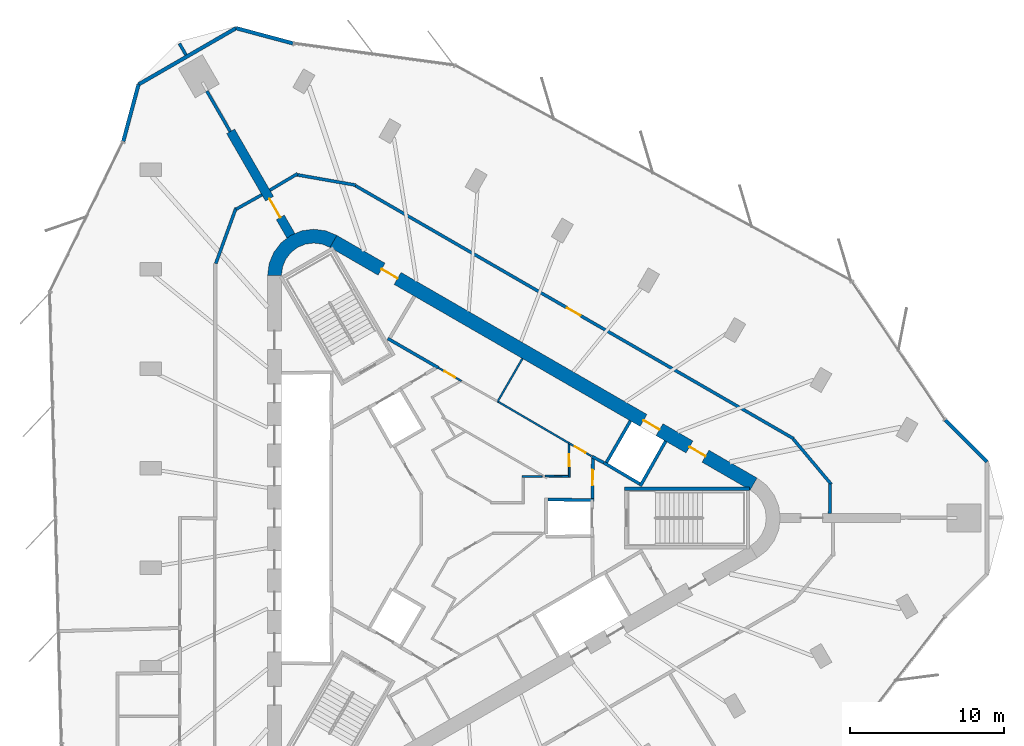
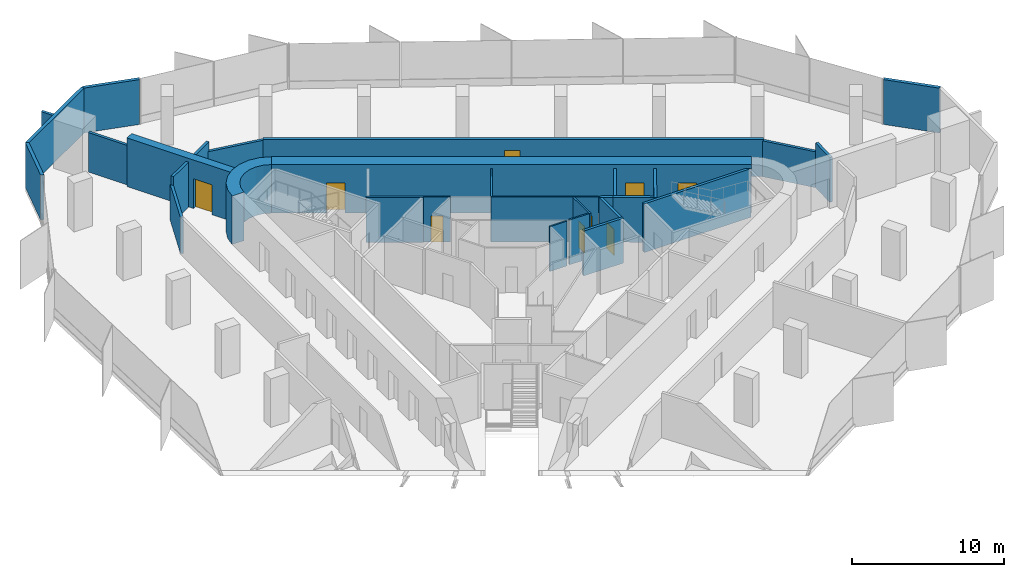
# One storey, part 10 of 12: 31 walls, 9 doors, 9 openings.
"""IFC4 building model written with IfcOpenShell, lengths in metres."""

import ifcopenshell
import ifcopenshell.guid

model = None  # the IFC model being written
_history = None  # IfcOwnerHistory: only IFC2X3 demands one
_inside = {}  # id of a spatial element -> (the spatial element, [elements in it])
_under = {}  # id of a project, library or spatial element -> (it, [spatial elements below it])
_declared = {}  # id of a project -> (the project, [libraries it declares])
_typed = {}  # id of a type object -> (the type object, [elements of that type])
_made_of = {}  # id of a material, layer set ... -> (it, [elements and type objects made of it])


def new_model(schema):
    """Start an empty IFC model of exactly this schema.

    Asked for "IFC4X3", IfcOpenShell would pick the latest addendum, in which some entities
    have other attributes; the version numbers below select the first issue.
    IFC2X3 requires an IfcOwnerHistory on every rooted entity: one is made here for all.
    """
    global model, _history
    if schema == "IFC4X3":
        model = ifcopenshell.file(schema_version=(4, 3, 0, 0))
    else:
        model = ifcopenshell.file(schema=schema)
    _inside.clear()
    _under.clear()
    _declared.clear()
    _typed.clear()
    _made_of.clear()
    _history = None
    if model.schema == "IFC2X3":
        org = make("IfcOrganization", Name="unknown")
        user = make(
            "IfcPersonAndOrganization",
            ThePerson=make("IfcPerson", FamilyName="unknown"),
            TheOrganization=org,
        )
        app = make(
            "IfcApplication",
            ApplicationDeveloper=org,
            Version="unknown",
            ApplicationFullName="unknown",
            ApplicationIdentifier="unknown",
        )
        _history = make(
            "IfcOwnerHistory",
            OwningUser=user,
            OwningApplication=app,
            ChangeAction="ADDED",
            CreationDate=0,
        )
    return model


def make(cls, **values):
    """One entity of the class cls with the attributes given. An attribute that is None is left unset."""
    return model.create_entity(
        cls, **{name: value for name, value in values.items() if value is not None}
    )


def rooted(cls, **values):
    """An entity with a GlobalId (a new one), such as an element, a storey or a relation."""
    return make(cls, GlobalId=ifcopenshell.guid.new(), OwnerHistory=_history, **values)


def si_unit(unit_type, name, prefix=None):
    """IfcSIUnit, for example si_unit("LENGTHUNIT", "METRE", prefix="MILLI")."""
    return make("IfcSIUnit", UnitType=unit_type, Prefix=prefix, Name=name)


def assignment(units):
    """IfcUnitAssignment: the units of a project."""
    return None if units is None else make("IfcUnitAssignment", Units=units)


def point(xyz):
    """IfcCartesianPoint."""
    return None if xyz is None else make("IfcCartesianPoint", Coordinates=xyz)


def direction(xyz):
    """IfcDirection."""
    return None if xyz is None else make("IfcDirection", DirectionRatios=xyz)


def frame(location, z_axis=None, x_axis=None):
    """IfcAxis2Placement3D, a coordinate frame: its origin and axes. An axis left out is left unset."""
    return make(
        "IfcAxis2Placement3D",
        Location=point(location),
        Axis=direction(z_axis),
        RefDirection=direction(x_axis),
    )


def frame_2d(location, x_axis=None):
    """IfcAxis2Placement2D, a coordinate frame in the plane: its origin and x axis."""
    return make(
        "IfcAxis2Placement2D", Location=point(location), RefDirection=direction(x_axis)
    )


def origin():
    """The frame at (0, 0, 0) with its axes left unset."""
    return frame((0.0, 0.0, 0.0))


def place(relative_to, where):
    """IfcLocalPlacement: puts the frame where relative to a parent placement (None: the world)."""
    return make(
        "IfcLocalPlacement", PlacementRelTo=relative_to, RelativePlacement=where
    )


def context(
    kind, dimensions, precision=None, world=None, true_north=None, identifier=None
):
    """IfcGeometricRepresentationContext, for example the 3D "Model" context."""
    return make(
        "IfcGeometricRepresentationContext",
        ContextIdentifier=identifier,
        ContextType=kind,
        CoordinateSpaceDimension=dimensions,
        Precision=precision,
        WorldCoordinateSystem=world,
        TrueNorth=true_north,
    )


def subcontext(parent, identifier, kind, view, scale=None):
    """IfcGeometricRepresentationSubContext, for example "Body" below "Model"."""
    return make(
        "IfcGeometricRepresentationSubContext",
        ContextIdentifier=identifier,
        ContextType=kind,
        ParentContext=parent,
        TargetScale=scale,
        TargetView=view,
    )


def project(units=None, contexts=None):
    """IfcProject with its units and contexts."""
    return rooted(
        "IfcProject",
        Name="project",
        RepresentationContexts=contexts,
        UnitsInContext=assignment(units),
    )


def spatial(cls, under=None, at=None, **own):
    """A site, building, storey or space (cls), placed at a placement, below another one or the project."""
    s = rooted(cls, ObjectPlacement=at, **own)
    if under is not None:
        _under.setdefault(under.id(), (under, []))[1].append(s)
    return s


def polyline(points):
    """IfcPolyline through the points."""
    return make("IfcPolyline", Points=[point(p) for p in points])


def profile(cls, at=None, kind="AREA", **sizes):
    """A parametric profile (cls). Its sizes go by their IFC names, for example OverallWidth=200.0."""
    return make(cls, ProfileType=kind, Position=at, **sizes)


def rectangle(**sizes):
    """IfcRectangleProfileDef."""
    return profile("IfcRectangleProfileDef", **sizes)


def outline(outer, holes=None, kind="AREA"):
    """IfcArbitraryClosedProfileDef: a profile drawn as a closed curve; with holes, ...WithVoids."""
    if holes is None:
        return make("IfcArbitraryClosedProfileDef", ProfileType=kind, OuterCurve=outer)
    return make(
        "IfcArbitraryProfileDefWithVoids",
        ProfileType=kind,
        OuterCurve=outer,
        InnerCurves=holes,
    )


def extrude(swept, where, along, depth):
    """IfcExtrudedAreaSolid: the profile swept, set in the frame where, extruded along a direction by depth."""
    return make(
        "IfcExtrudedAreaSolid",
        SweptArea=swept,
        Position=where,
        ExtrudedDirection=direction(along),
        Depth=depth,
    )


def shape(context_of_items, identifier, shape_type, items):
    """IfcShapeRepresentation: the items that make up one representation, for example the "Body"."""
    return make(
        "IfcShapeRepresentation",
        ContextOfItems=context_of_items,
        RepresentationIdentifier=identifier,
        RepresentationType=shape_type,
        Items=items,
    )


def material(Name=None, Category=None):
    """IfcMaterial."""
    return make("IfcMaterial", Name=Name, Category=Category)


def layer(
    of_material, thickness, ventilated=None, Name=None, Category=None, Priority=None
):
    """IfcMaterialLayer: one layer of a wall or slab, of a material (None: an air gap)."""
    return make(
        "IfcMaterialLayer",
        Material=of_material,
        LayerThickness=thickness,
        IsVentilated=ventilated,
        Name=Name,
        Category=Category,
        Priority=Priority,
    )


def layer_set(layers, Name=None):
    """IfcMaterialLayerSet."""
    return make("IfcMaterialLayerSet", MaterialLayers=layers, LayerSetName=Name)


def made_of(thing, what):
    """Note that an element or type object is made of a material, layer set ...; save() writes the relation."""
    if what is not None:
        _made_of.setdefault(what.id(), (what, []))[1].append(thing)
    return thing


def type_object(cls, material=None, **own):
    """A type object (cls), such as IfcWallType, which elements share."""
    return made_of(rooted(cls, **own), material)


def element(
    cls,
    number,
    at=None,
    inside=None,
    cuts=None,
    type_object=None,
    material=None,
    context=None,
    identifier="Body",
    shape_type=None,
    held_by="IfcProductDefinitionShape",
    body=None,
    shapes=None,
    **own,
):
    """One element of the class cls, such as IfcWall. Its Tag is "e" and its number.

    at: its placement. inside: the storey or other place that contains it. cuts: it is an
    opening in that element (IfcRelVoidsElement). A single representation is given by context,
    identifier, shape_type and body (its items); several are given by shapes. held_by: the class
    of the entity that holds the representations. save() writes the other relations.
    """
    e = rooted(cls, Tag="e%d" % number, ObjectPlacement=at, **own)
    if body is not None:
        shapes = [shape(context, identifier, shape_type, body)]
    if shapes is not None:
        e.Representation = make(held_by, Representations=shapes)
    if inside is not None:
        _inside.setdefault(inside.id(), (inside, []))[1].append(e)
    if cuts is not None:
        rooted(
            "IfcRelVoidsElement", RelatingBuildingElement=cuts, RelatedOpeningElement=e
        )
    if type_object is not None:
        _typed.setdefault(type_object.id(), (type_object, []))[1].append(e)
    return made_of(e, material)


def fill(opening, filler):
    """IfcRelFillsElement: the door or window that sits in an opening."""
    return rooted(
        "IfcRelFillsElement",
        RelatingOpeningElement=opening,
        RelatedBuildingElement=filler,
    )


def aggregate(whole, parts):
    """IfcRelAggregates: a whole, such as a stair, and the parts it consists of."""
    return rooted("IfcRelAggregates", RelatingObject=whole, RelatedObjects=parts)


def save(model, path):
    """Write the relations noted so far, then the file.

    IfcRelAggregates (storeys below a building ...), IfcRelContainedInSpatialStructure (elements
    in a storey), IfcRelDefinesByType, IfcRelAssociatesMaterial and IfcRelDeclares: one each for
    every whole, place, type object, material and project.
    """
    for whole, parts in _under.values():
        aggregate(whole, parts)
    for where, things in _inside.values():
        rooted(
            "IfcRelContainedInSpatialStructure",
            RelatedElements=things,
            RelatingStructure=where,
        )
    for kind, things in _typed.values():
        rooted("IfcRelDefinesByType", RelatedObjects=things, RelatingType=kind)
    for what, things in _made_of.values():
        rooted("IfcRelAssociatesMaterial", RelatedObjects=things, RelatingMaterial=what)
    for by, libraries in _declared.values():
        rooted("IfcRelDeclares", RelatingContext=by, RelatedDefinitions=libraries)
    model.write(path)


model = new_model("IFC4")

# Units and contexts
model_context = context("Model", 3, precision=1e-05, world=origin(), true_north=direction((0.0, 1.0)))
body_context = subcontext(model_context, "Body", "Model", "MODEL_VIEW")
ifc_project = project(units=[si_unit("LENGTHUNIT", "METRE"), si_unit("AREAUNIT", "SQUARE_METRE"), si_unit("VOLUMEUNIT", "CUBIC_METRE"), si_unit("PLANEANGLEUNIT", "RADIAN"), si_unit("MASSUNIT", "GRAM", prefix="KILO")], contexts=[model_context])

# Site, building, storey
site_placement = place(None, origin())
site = spatial("IfcSite", under=ifc_project, at=site_placement, CompositionType="ELEMENT")
building_placement = place(site_placement, origin())
building = spatial("IfcBuilding", under=site, at=building_placement, Name="Tanit Gate Tower", CompositionType="ELEMENT")
storey_placement = place(building_placement, frame((0.0, 0.0, 345.5)))
storey = spatial("IfcBuildingStorey", under=building, at=storey_placement, Name="L78", CompositionType="ELEMENT", Elevation=345.5)

# Wall, opening, door
ifc_material_1 = material(Name="Concrete C40/50", Category="concrete")
ifc_layer_1 = layer(ifc_material_1, 0.60009765625)
ifc_layer_set_1 = layer_set([ifc_layer_1], Name="BUTTRESS FIN 600 C40/50")
wall_type_1 = type_object("IfcWallType", Name="BUTTRESS FIN 600 C40/50", PredefinedType="SHEAR", material=ifc_layer_set_1)
wall_1_placement = place(storey_placement, frame((-10.574951171875, 18.31640625, 0.0), z_axis=(0.0, 0.0, 1.0), x_axis=(-0.500010354293, 0.866019425648, 0.0)))
wall_1 = element("IfcWall", 1, at=wall_1_placement, inside=storey, type_object=wall_type_1, Name="BUTTRESS FIN", PredefinedType="SHEAR", context=body_context, shape_type="SweptSolid", body=[
    extrude(rectangle(XDim=7.854248046875, YDim=0.60009765625, at=frame_2d((3.92724609375, 0.0))), origin(), (0.0, 0.0, 1.0), 3.89990234375),
])
opening_1_placement = place(wall_1_placement, frame((1.39990234375, 0.0, 0.0)))
opening_1 = element("IfcOpeningElement", 2, at=opening_1_placement, cuts=wall_1, Name="Opening P14-S22-F-NW-1", PredefinedType="OPENING", context=body_context, shape_type="SweptSolid", body=[
    extrude(rectangle(XDim=1.39990234375, YDim=2.39990234375, at=frame_2d((0.699951171875, 1.199951171875))), frame((0.0, 0.31005859375, 0.0), z_axis=(0.0, -1.0, 0.0), x_axis=(1.0, 0.0, 0.0)), (0.0, 0.0, 1.0), 0.6201171875),
])
ifc_material_2 = material(Name="Timber door leaf", Category="wood")
door_type_1 = type_object("IfcDoorType", Name="INT-DOOR-FIN-PAIR-1400", OperationType="NOTDEFINED", PredefinedType="NOTDEFINED", material=ifc_material_2)
door_1_placement = place(opening_1_placement, origin())
door_1 = element("IfcDoor", 3, at=door_1_placement, inside=storey, type_object=door_type_1, Name="Door P14-S22-F-NW-1", OperationType="DOUBLE_DOOR_SINGLE_SWING", OverallHeight=2.39990234375, OverallWidth=1.39990234375, PredefinedType="NOTDEFINED", context=body_context, shape_type="SweptSolid", body=[
    extrude(rectangle(XDim=1.39990234375, YDim=2.39990234375, at=frame_2d((0.699951171875, 1.199951171875))), frame((0.0, 0.02490234375, 0.0), z_axis=(0.0, -1.0, 0.0), x_axis=(1.0, 0.0, 0.0)), (0.0, 0.0, 1.0), 0.050048828125),
])
fill(opening_1, door_1)

# Wall, openings, doors
ifc_material_3 = material(Name="Concrete C40/50", Category="concrete")
ifc_layer_2 = layer(ifc_material_3, 0.89990234375)
ifc_layer_set_2 = layer_set([ifc_layer_2], Name="CORE WALL 900 C40/50")
wall_type_2 = type_object("IfcWallType", Name="CORE WALL 900 C40/50", PredefinedType="SHEAR", material=ifc_layer_set_2)
wall_2_placement = place(storey_placement, frame((19.47509765625, 2.20849609375, 0.0), z_axis=(0.0, 0.0, 1.0), x_axis=(-0.866028369851, 0.499994862586, 0.0)))
wall_2 = element("IfcWall", 4, at=wall_2_placement, inside=storey, type_object=wall_type_2, Name="CORE WALL", PredefinedType="SHEAR", context=body_context, shape_type="SweptSolid", body=[
    extrude(rectangle(XDim=31.523193359375, YDim=0.89990234375, at=frame_2d((15.76171875, 0.0))), origin(), (0.0, 0.0, 1.0), 3.89990234375),
])
opening_2_placement = place(wall_2_placement, frame((7.0615234375, 0.0, 0.0)))
opening_2 = element("IfcOpeningElement", 5, at=opening_2_placement, cuts=wall_2, Name="Opening LDHL8-S22", PredefinedType="OPENING", context=body_context, shape_type="SweptSolid", body=[
    extrude(rectangle(XDim=1.199951171875, YDim=2.39990234375, at=frame_2d((0.60009765625, 1.199951171875))), frame((0.0, 0.4599609375, 0.0), z_axis=(0.0, -1.0, 0.0), x_axis=(1.0, 0.0, 0.0)), (0.0, 0.0, 1.0), 0.919921875),
])
opening_3_placement = place(wall_2_placement, frame((3.611572265625, 0.0, 0.0)))
opening_3 = element("IfcOpeningElement", 6, at=opening_3_placement, cuts=wall_2, Name="Opening F12-S22-FL1", PredefinedType="OPENING", context=body_context, shape_type="SweptSolid", body=[
    extrude(rectangle(XDim=1.199951171875, YDim=2.39990234375, at=frame_2d((0.60009765625, 1.199951171875))), frame((0.0, 0.4599609375, 0.0), z_axis=(0.0, -1.0, 0.0), x_axis=(1.0, 0.0, 0.0)), (0.0, 0.0, 1.0), 0.919921875),
])
opening_4_placement = place(wall_2_placement, frame((26.711669921875, 0.0, 0.0)))
opening_4 = element("IfcOpeningElement", 7, at=opening_4_placement, cuts=wall_2, Name="Opening F12-S22-S2", PredefinedType="OPENING", context=body_context, shape_type="SweptSolid", body=[
    extrude(rectangle(XDim=1.199951171875, YDim=2.39990234375, at=frame_2d((0.60009765625, 1.199951171875))), frame((0.0, 0.4599609375, 0.0), z_axis=(0.0, -1.0, 0.0), x_axis=(1.0, 0.0, 0.0)), (0.0, 0.0, 1.0), 0.919921875),
])
ifc_material_4 = material(Name="Fire-rated steel door leaf", Category="steel")
door_type_2 = type_object("IfcDoorType", Name="INT-DOOR-FIRE-LOBBY-1200", OperationType="NOTDEFINED", PredefinedType="USERDEFINED", material=ifc_material_4)
door_2_placement = place(opening_3_placement, origin())
door_2 = element("IfcDoor", 8, at=door_2_placement, inside=storey, type_object=door_type_2, Name="Door F12-S22-FL1", ObjectType="FIRE DOOR", OperationType="SINGLE_SWING_LEFT", OverallHeight=2.39990234375, OverallWidth=1.199951171875, PredefinedType="USERDEFINED", context=body_context, shape_type="SweptSolid", body=[
    extrude(rectangle(XDim=1.199951171875, YDim=2.39990234375, at=frame_2d((0.60009765625, 1.199951171875))), frame((0.0, 0.02490234375, 0.0), z_axis=(0.0, -1.0, 0.0), x_axis=(1.0, 0.0, 0.0)), (0.0, 0.0, 1.0), 0.050048828125),
])
fill(opening_3, door_2)
door_3_placement = place(opening_4_placement, origin())
door_3 = element("IfcDoor", 9, at=door_3_placement, inside=storey, type_object=door_type_2, Name="Door F12-S22-S2", ObjectType="FIRE DOOR", OperationType="SINGLE_SWING_RIGHT", OverallHeight=2.39990234375, OverallWidth=1.199951171875, PredefinedType="USERDEFINED", context=body_context, shape_type="SweptSolid", body=[
    extrude(rectangle(XDim=1.199951171875, YDim=2.39990234375, at=frame_2d((0.60009765625, 1.199951171875))), frame((0.0, 0.02490234375, 0.0), z_axis=(0.0, -1.0, 0.0), x_axis=(1.0, 0.0, 0.0)), (0.0, 0.0, 1.0), 0.050048828125),
])
fill(opening_4, door_3)
ifc_material_5 = material(Name="Stainless steel sliding door leaf", Category="steel")
door_type_3 = type_object("IfcDoorType", Name="INT-DOOR-LANDING-1200", OperationType="NOTDEFINED", PredefinedType="USERDEFINED", material=ifc_material_5)
door_4_placement = place(opening_2_placement, origin())
door_4 = element("IfcDoor", 10, at=door_4_placement, inside=storey, type_object=door_type_3, Name="Door LDHL8-S22", ObjectType="LANDING DOOR", OperationType="SLIDING_TO_LEFT", OverallHeight=2.39990234375, OverallWidth=1.199951171875, PredefinedType="USERDEFINED", context=body_context, shape_type="SweptSolid", body=[
    extrude(rectangle(XDim=1.199951171875, YDim=2.39990234375, at=frame_2d((0.60009765625, 1.199951171875))), frame((0.0, 0.02490234375, 0.0), z_axis=(0.0, -1.0, 0.0), x_axis=(1.0, 0.0, 0.0)), (0.0, 0.0, 1.0), 0.050048828125),
])
fill(opening_2, door_4)

# Walls
wall_3_placement = place(storey_placement, origin())
element("IfcWall", 11, at=wall_3_placement, inside=storey, type_object=wall_type_2, Name="CORE WALL CORNER", PredefinedType="SHEAR", context=body_context, shape_type="SweptSolid", body=[
    extrude(outline(polyline([(-7.60009765625, 18.359619140625), (-8.323486328125, 18.659423828125), (-9.10009765625, 18.76171875), (-9.87646484375, 18.659423828125), (-10.60009765625, 18.359619140625), (-11.22119140625, 17.883056640625), (-11.697998046875, 17.26171875), (-11.997802734375, 16.5380859375), (-12.10009765625, 15.76171875), (-11.199951171875, 15.76171875), (-11.12841796875, 16.30517578125), (-10.918701171875, 16.811767578125), (-10.5849609375, 17.24658203125), (-10.14990234375, 17.580322265625), (-9.6435546875, 17.7900390625), (-9.10009765625, 17.86181640625), (-8.556396484375, 17.7900390625), (-8.050048828125, 17.580322265625), (-7.60009765625, 18.359619140625)])), origin(), (0.0, 0.0, 1.0), 3.89990234375),
])
ifc_material_6 = material(Name="Concrete C30/37 with bronze anodised aluminium cladding", Category="concrete")
ifc_layer_3 = layer(ifc_material_6, 0.239990234375)
ifc_layer_set_3 = layer_set([ifc_layer_3], Name="Facade wall bronze clad 240")
wall_type_3 = type_object("IfcWallType", Name="Facade wall bronze clad 240", PredefinedType="SOLIDWALL", material=ifc_layer_set_3)
wall_4_placement = place(storey_placement, frame((-10.44921875, 30.833251953125, 0.0), z_axis=(0.0, 0.0, 1.0), x_axis=(-0.965924142325, 0.25882532966, 0.0)))
element("IfcWall", 12, at=wall_4_placement, inside=storey, type_object=wall_type_3, Name="Bronze-clad facade wall L78 NW.arc1", PredefinedType="SOLIDWALL", context=body_context, shape_type="SweptSolid", body=[
    extrude(rectangle(XDim=3.82861328125, YDim=0.239990234375, at=frame_2d((1.914306640625, 0.0))), origin(), (0.0, 0.0, 1.0), 3.60009765625),
])
wall_5_placement = place(storey_placement, frame((-14.1474609375, 31.82421875, 0.0), z_axis=(0.0, 0.0, 1.0), x_axis=(-0.86603229387, -0.499988065832, 0.0)))
element("IfcWall", 13, at=wall_5_placement, inside=storey, type_object=wall_type_3, Name="Bronze-clad facade wall L78 NW.arc2", PredefinedType="SOLIDWALL", context=body_context, shape_type="SweptSolid", body=[
    extrude(rectangle(XDim=7.320068359375, YDim=0.239990234375, at=frame_2d((3.66015625, 0.0))), origin(), (0.0, 0.0, 1.0), 3.60009765625),
])
for number, where, z_axis, x_axis, name in (
    (14, (-20.48681640625, 28.164306640625, 0.0), (0.0, 0.0, 1.0), (-0.258808255004, -0.965928717423, 0.0), "Bronze-clad facade wall L78 NW.arc3"),
    (15, (34.63427734375, 3.659912109375, 0.0), (0.0, 0.0, 1.0), (-0.707106781187, 0.707106781187, 0.0), "Bronze-clad facade wall L78 E.arc3"),
):
    element("IfcWall", number, at=place(storey_placement, frame(where, z_axis=z_axis, x_axis=x_axis)), inside=storey, type_object=wall_type_3, Name=name, PredefinedType="SOLIDWALL", context=body_context, shape_type="SweptSolid", body=[
        extrude(rectangle(XDim=3.832763671875, YDim=0.239990234375, at=frame_2d((1.91650390625, 0.0))), origin(), (0.0, 0.0, 1.0), 3.60009765625),
    ])
ifc_material_7 = material(Name="Fire-rated gypsum board partition")
ifc_layer_4 = layer(ifc_material_7, 0.199951171875)
ifc_layer_set_4 = layer_set([ifc_layer_4], Name="INT-WALL-COMPARTMENT")
wall_type_4 = type_object("IfcWallType", Name="INT-WALL-COMPARTMENT", PredefinedType="PARTITIONING", material=ifc_layer_set_4)
wall_6_placement = place(storey_placement, frame((8.97412109375, 3.998779296875, 0.0), z_axis=(0.0, 0.0, 1.0), x_axis=(0.880917147855, -0.473270513147, 0.0)))
element("IfcWall", 16, at=wall_6_placement, inside=storey, type_object=wall_type_4, Name="Wall Compartment W045", PredefinedType="PARTITIONING", context=body_context, shape_type="SweptSolid", body=[
    extrude(rectangle(XDim=0.8779296875, YDim=0.199951171875, at=frame_2d((0.43896484375, 0.0))), origin(), (0.0, 0.0, 1.0), 3.60009765625),
])
wall_7_placement = place(storey_placement, frame((-4.295654296875, 11.659912109375, 0.0), z_axis=(0.0, 0.0, 1.0), x_axis=(0.866027389382, -0.499996560828, 0.0)))
element("IfcWall", 17, at=wall_7_placement, inside=storey, type_object=wall_type_4, Name="Wall Compartment W048", PredefinedType="PARTITIONING", context=body_context, shape_type="SweptSolid", body=[
    extrude(rectangle(XDim=3.77783203125, YDim=0.199951171875, at=frame_2d((1.888916015625, 0.0))), origin(), (0.0, 0.0, 1.0), 3.60009765625),
])

# Wall, opening, door
wall_8_placement = place(storey_placement, frame((9.0009765625, 1.27001953125, 0.0), z_axis=(0.0, 0.0, 1.0), x_axis=(0.010723968736, 0.999942496594, 0.0)))
wall_8 = element("IfcWall", 18, at=wall_8_placement, inside=storey, type_object=wall_type_4, Name="Wall Compartment W063", PredefinedType="PARTITIONING", context=body_context, shape_type="SweptSolid", body=[
    extrude(rectangle(XDim=2.709228515625, YDim=0.199951171875, at=frame_2d((1.3544921875, 0.0))), origin(), (0.0, 0.0, 1.0), 3.60009765625),
])
opening_5_placement = place(wall_8_placement, frame((0.848388671875, 0.0, 0.0)))
opening_5 = element("IfcOpeningElement", 19, at=opening_5_placement, cuts=wall_8, Name="Opening F10-S22-02", PredefinedType="OPENING", context=body_context, shape_type="SweptSolid", body=[
    extrude(rectangle(XDim=1.0, YDim=2.10009765625, at=frame_2d((0.5, 1.050048828125))), frame((0.0, 0.10986328125, 0.0), z_axis=(0.0, -1.0, 0.0), x_axis=(1.0, 0.0, 0.0)), (0.0, 0.0, 1.0), 0.219970703125),
])
ifc_material_8 = material(Name="Fire-rated steel door leaf", Category="steel")
door_type_4 = type_object("IfcDoorType", Name="INT-DOOR-FIRE-1000", OperationType="NOTDEFINED", PredefinedType="USERDEFINED", material=ifc_material_8)
door_5_placement = place(opening_5_placement, origin())
door_5 = element("IfcDoor", 20, at=door_5_placement, inside=storey, type_object=door_type_4, Name="Door F10-S22-02", ObjectType="FIRE DOOR", OperationType="SINGLE_SWING_LEFT", OverallHeight=2.10009765625, OverallWidth=1.0, PredefinedType="USERDEFINED", context=body_context, shape_type="SweptSolid", body=[
    extrude(rectangle(XDim=1.0, YDim=2.10009765625, at=frame_2d((0.5, 1.050048828125))), frame((0.0, 0.02490234375, 0.0), z_axis=(0.0, -1.0, 0.0), x_axis=(1.0, 0.0, 0.0)), (0.0, 0.0, 1.0), 0.050048828125),
])
fill(opening_5, door_5)

# Walls
wall_9_placement = place(storey_placement, frame((-14.15234375, 20.143310546875, 0.0), z_axis=(0.0, 0.0, 1.0), x_axis=(-0.342008467257, -0.939696870445, 0.0)))
element("IfcWall", 21, at=wall_9_placement, inside=storey, type_object=wall_type_4, Name="Wall Compartment W103", PredefinedType="PARTITIONING", context=body_context, shape_type="SweptSolid", body=[
    extrude(rectangle(XDim=3.840576171875, YDim=0.199951171875, at=frame_2d((1.92041015625, 0.0))), origin(), (0.0, 0.0, 1.0), 2.8798828125),
])
wall_10_placement = place(storey_placement, frame((-12.469970703125, 20.99853515625, 0.0), z_axis=(0.0, 0.0, 1.0), x_axis=(-0.872542788959, -0.488537697046, 0.0)))
element("IfcWall", 22, at=wall_10_placement, inside=storey, type_object=wall_type_4, Name="Wall Compartment W104", PredefinedType="PARTITIONING", context=body_context, shape_type="SweptSolid", body=[
    extrude(rectangle(XDim=1.924560546875, YDim=0.199951171875, at=frame_2d((0.96240234375, 0.0))), origin(), (0.0, 0.0, 1.0), 3.60009765625),
])
wall_11_placement = place(storey_placement, frame((-10.154541015625, 22.3671875, 0.0), z_axis=(0.0, 0.0, 1.0), x_axis=(-0.859343009577, -0.511399640097, 0.0)))
element("IfcWall", 23, at=wall_11_placement, inside=storey, type_object=wall_type_4, Name="Wall Compartment W105", PredefinedType="PARTITIONING", context=body_context, shape_type="SweptSolid", body=[
    extrude(rectangle(XDim=2.089599609375, YDim=0.199951171875, at=frame_2d((1.044921875, 0.0))), origin(), (0.0, 0.0, 1.0), 3.60009765625),
])
wall_12_placement = place(storey_placement, frame((-6.389404296875, 21.626220703125, 0.0), z_axis=(0.0, 0.0, 1.0), x_axis=(-0.984802578286, 0.173677522442, 0.0)))
element("IfcWall", 24, at=wall_12_placement, inside=storey, type_object=wall_type_4, Name="Wall Compartment W106", PredefinedType="PARTITIONING", context=body_context, shape_type="SweptSolid", body=[
    extrude(rectangle(XDim=3.87548828125, YDim=0.199951171875, at=frame_2d((1.937744140625, 0.0))), origin(), (0.0, 0.0, 1.0), 2.8798828125),
])

# Wall, opening, door
wall_13_placement = place(storey_placement, frame((22.074462890625, 5.153076171875, 0.0), z_axis=(0.0, 0.0, 1.0), x_axis=(-0.866023485483, 0.500003322581, 0.0)))
wall_13 = element("IfcWall", 25, at=wall_13_placement, inside=storey, type_object=wall_type_4, Name="Wall Compartment W107", PredefinedType="PARTITIONING", context=body_context, shape_type="SweptSolid", body=[
    extrude(rectangle(XDim=32.881103515625, YDim=0.199951171875, at=frame_2d((16.4404296875, 0.0))), origin(), (0.0, 0.0, 1.0), 2.969970703125),
])
opening_6_placement = place(wall_13_placement, frame((15.990478515625, 0.0, 0.0)))
opening_6 = element("IfcOpeningElement", 26, at=opening_6_placement, cuts=wall_13, Name="Opening F10-S22-28", PredefinedType="OPENING", context=body_context, shape_type="SweptSolid", body=[
    extrude(rectangle(XDim=1.0, YDim=2.10009765625, at=frame_2d((0.5, 1.050048828125))), frame((0.0, 0.10986328125, 0.0), z_axis=(0.0, -1.0, 0.0), x_axis=(1.0, 0.0, 0.0)), (0.0, 0.0, 1.0), 0.219970703125),
])
door_6_placement = place(opening_6_placement, origin())
door_6 = element("IfcDoor", 27, at=door_6_placement, inside=storey, type_object=door_type_4, Name="Door F10-S22-28", ObjectType="FIRE DOOR", OperationType="SINGLE_SWING_RIGHT", OverallHeight=2.10009765625, OverallWidth=1.0, PredefinedType="USERDEFINED", context=body_context, shape_type="SweptSolid", body=[
    extrude(rectangle(XDim=1.0, YDim=2.10009765625, at=frame_2d((0.5, 1.050048828125))), frame((0.0, 0.02490234375, 0.0), z_axis=(0.0, -1.0, 0.0), x_axis=(1.0, 0.0, 0.0)), (0.0, 0.0, 1.0), 0.050048828125),
])
fill(opening_6, door_6)

# Walls
wall_14_placement = place(storey_placement, frame((24.520751953125, 2.1845703125, 0.0), z_axis=(0.0, 0.0, 1.0), x_axis=(-0.642781993054, 0.766049155998, 0.0)))
element("IfcWall", 28, at=wall_14_placement, inside=storey, type_object=wall_type_4, Name="Wall Compartment W108", PredefinedType="PARTITIONING", context=body_context, shape_type="SweptSolid", body=[
    extrude(rectangle(XDim=3.84033203125, YDim=0.199951171875, at=frame_2d((1.920166015625, 0.0))), origin(), (0.0, 0.0, 1.0), 2.8798828125),
])
wall_15_placement = place(storey_placement, frame((24.420166015625, 0.300048828125, 0.0), z_axis=(0.0, 0.0, 1.0), x_axis=(0.013193472226, 0.999912962358, 0.0)))
element("IfcWall", 29, at=wall_15_placement, inside=storey, type_object=wall_type_4, Name="Wall Compartment W109", PredefinedType="PARTITIONING", context=body_context, shape_type="SweptSolid", body=[
    extrude(rectangle(XDim=1.924560546875, YDim=0.199951171875, at=frame_2d((0.96240234375, 0.0))), origin(), (0.0, 0.0, 1.0), 3.60009765625),
])
wall_16_placement = place(storey_placement, frame((-17.82958984375, 30.821533203125, 0.0), z_axis=(0.0, 0.0, 1.0), x_axis=(0.500234662275, -0.86588987906, 0.0)))
element("IfcWall", 30, at=wall_16_placement, inside=storey, type_object=wall_type_4, Name="Wall Compartment W129", PredefinedType="PARTITIONING", context=body_context, shape_type="SweptSolid", body=[
    extrude(rectangle(XDim=0.8525390625, YDim=0.199951171875, at=frame_2d((0.42626953125, 0.0))), origin(), (0.0, 0.0, 1.0), 3.60009765625),
])
wall_17_placement = place(storey_placement, frame((-16.045654296875, 27.73193359375, 0.0), z_axis=(0.0, 0.0, 1.0), x_axis=(0.500014901547, -0.866016800201, 0.0)))
element("IfcWall", 31, at=wall_17_placement, inside=storey, type_object=wall_type_4, Name="Wall Compartment W130", PredefinedType="PARTITIONING", context=body_context, shape_type="SweptSolid", body=[
    extrude(rectangle(XDim=3.03515625, YDim=0.199951171875, at=frame_2d((1.517578125, 0.0))), origin(), (0.0, 0.0, 1.0), 3.169921875),
])
ifc_material_9 = material(Name="Gypsum board partition")
ifc_layer_5 = layer(ifc_material_9, 0.1201171875)
ifc_layer_set_5 = layer_set([ifc_layer_5], Name="INT-WALL-PARTITION")
wall_type_5 = type_object("IfcWallType", Name="INT-WALL-PARTITION", PredefinedType="PARTITIONING", material=ifc_layer_set_5)
wall_18_placement = place(storey_placement, frame((4.456787109375, 10.359375, 0.0), z_axis=(0.0, 0.0, 1.0), x_axis=(-0.500017246033, -0.866015446554, 0.0)))
element("IfcWall", 32, at=wall_18_placement, inside=storey, type_object=wall_type_5, Name="Wall Partition W044", PredefinedType="PARTITIONING", context=body_context, shape_type="SweptSolid", body=[
    extrude(rectangle(XDim=3.25, YDim=0.1201171875, at=frame_2d((1.625, 0.0))), origin(), (0.0, 0.0, 1.0), 3.60009765625),
])
wall_19_placement = place(storey_placement, frame((2.82080078125, 7.5859375, 0.0), z_axis=(0.0, 0.0, 1.0), x_axis=(0.863262357411, -0.504755487615, 0.0)))
element("IfcWall", 33, at=wall_19_placement, inside=storey, type_object=wall_type_5, Name="Wall Partition W046", PredefinedType="PARTITIONING", context=body_context, shape_type="SweptSolid", body=[
    extrude(rectangle(XDim=5.370361328125, YDim=0.1201171875, at=frame_2d((2.68505859375, 0.0))), origin(), (0.0, 0.0, 1.0), 3.60009765625),
])

# Wall, opening, door
wall_20_placement = place(storey_placement, frame((-1.02392578125, 9.77099609375, 0.0), z_axis=(0.0, 0.0, 1.0), x_axis=(0.866039397417, -0.499975761534, 0.0)))
wall_20 = element("IfcWall", 34, at=wall_20_placement, inside=storey, type_object=wall_type_5, Name="Wall Partition W051", PredefinedType="PARTITIONING", context=body_context, shape_type="SweptSolid", body=[
    extrude(rectangle(XDim=1.751953125, YDim=0.1201171875, at=frame_2d((0.8759765625, 0.0))), origin(), (0.0, 0.0, 1.0), 3.60009765625),
])
opening_7_placement = place(wall_20_placement, frame((0.4658203125, 0.0, 0.0)))
opening_7 = element("IfcOpeningElement", 35, at=opening_7_placement, cuts=wall_20, Name="Opening R08-S22-16", PredefinedType="OPENING", context=body_context, shape_type="SweptSolid", body=[
    extrude(rectangle(XDim=0.800048828125, YDim=2.10009765625, at=frame_2d((0.39990234375, 1.050048828125))), frame((0.0, 0.070068359375, 0.0), z_axis=(0.0, -1.0, 0.0), x_axis=(1.0, 0.0, 0.0)), (0.0, 0.0, 1.0), 0.14013671875),
])
ifc_material_10 = material(Name="Timber door leaf", Category="wood")
door_type_5 = type_object("IfcDoorType", Name="INT-DOOR-RISER-800", OperationType="NOTDEFINED", PredefinedType="USERDEFINED", material=ifc_material_10)
door_7_placement = place(opening_7_placement, origin())
door_7 = element("IfcDoor", 36, at=door_7_placement, inside=storey, type_object=door_type_5, Name="Door R08-S22-16", ObjectType="FIRE DOOR", OperationType="SINGLE_SWING_RIGHT", OverallHeight=2.10009765625, OverallWidth=0.800048828125, PredefinedType="USERDEFINED", context=body_context, shape_type="SweptSolid", body=[
    extrude(rectangle(XDim=0.800048828125, YDim=2.10009765625, at=frame_2d((0.39990234375, 1.050048828125))), frame((0.0, 0.02490234375, 0.0), z_axis=(0.0, -1.0, 0.0), x_axis=(1.0, 0.0, 0.0)), (0.0, 0.0, 1.0), 0.050048828125),
])
fill(opening_7, door_7)

wall_21_placement = place(storey_placement, frame((7.45654296875, 4.874755859375, 0.0), z_axis=(0.0, 0.0, 1.0), x_axis=(0.866027945518, -0.499995597562, 0.0)))
wall_21 = element("IfcWall", 37, at=wall_21_placement, inside=storey, type_object=wall_type_5, Name="Wall Partition W047", PredefinedType="PARTITIONING", context=body_context, shape_type="SweptSolid", body=[
    extrude(rectangle(XDim=1.7021484375, YDim=0.1201171875, at=frame_2d((0.85107421875, 0.0))), origin(), (0.0, 0.0, 1.0), 3.60009765625),
])
opening_8_placement = place(wall_21_placement, frame((0.461181640625, 0.0, 0.0)))
opening_8 = element("IfcOpeningElement", 38, at=opening_8_placement, cuts=wall_21, Name="Opening R08-S22-15", PredefinedType="OPENING", context=body_context, shape_type="SweptSolid", body=[
    extrude(rectangle(XDim=0.800048828125, YDim=2.10009765625, at=frame_2d((0.39990234375, 1.050048828125))), frame((0.0, 0.070068359375, 0.0), z_axis=(0.0, -1.0, 0.0), x_axis=(1.0, 0.0, 0.0)), (0.0, 0.0, 1.0), 0.14013671875),
])
door_8_placement = place(opening_8_placement, origin())
door_8 = element("IfcDoor", 39, at=door_8_placement, inside=storey, type_object=door_type_5, Name="Door R08-S22-15", ObjectType="FIRE DOOR", OperationType="SINGLE_SWING_RIGHT", OverallHeight=2.10009765625, OverallWidth=0.800048828125, PredefinedType="USERDEFINED", context=body_context, shape_type="SweptSolid", body=[
    extrude(rectangle(XDim=0.800048828125, YDim=2.10009765625, at=frame_2d((0.39990234375, 1.050048828125))), frame((0.0, 0.02490234375, 0.0), z_axis=(0.0, -1.0, 0.0), x_axis=(1.0, 0.0, 0.0)), (0.0, 0.0, 1.0), 0.050048828125),
])
fill(opening_8, door_8)

# Wall
wall_22_placement = place(storey_placement, frame((4.43994140625, 2.699951171875, 0.0), z_axis=(0.0, 0.0, 1.0), x_axis=(1.0, 0.0, 0.0)))
element("IfcWall", 40, at=wall_22_placement, inside=storey, type_object=wall_type_5, Name="Wall Partition W080", PredefinedType="PARTITIONING", context=body_context, shape_type="SweptSolid", body=[
    extrude(rectangle(XDim=1.301513671875, YDim=0.1201171875, at=frame_2d((0.65087890625, 0.0))), origin(), (0.0, 0.0, 1.0), 3.60009765625),
])

# Wall, opening, door
wall_23_placement = place(storey_placement, frame((7.500732421875, 2.639892578125, 0.0), z_axis=(0.0, 0.0, 1.0), x_axis=(-0.01178388431, 0.999930567625, 0.0)))
wall_23 = element("IfcWall", 41, at=wall_23_placement, inside=storey, type_object=wall_type_5, Name="Wall Partition W089", PredefinedType="PARTITIONING", context=body_context, shape_type="SweptSolid", body=[
    extrude(rectangle(XDim=2.15478515625, YDim=0.1201171875, at=frame_2d((1.077392578125, 0.0))), origin(), (0.0, 0.0, 1.0), 3.60009765625),
])
opening_9_placement = place(wall_23_placement, frame((0.707275390625, 0.0, 0.0)))
opening_9 = element("IfcOpeningElement", 42, at=opening_9_placement, cuts=wall_23, Name="Opening R08-S22-14", PredefinedType="OPENING", context=body_context, shape_type="SweptSolid", body=[
    extrude(rectangle(XDim=0.800048828125, YDim=2.10009765625, at=frame_2d((0.39990234375, 1.050048828125))), frame((0.0, 0.070068359375, 0.0), z_axis=(0.0, -1.0, 0.0), x_axis=(1.0, 0.0, 0.0)), (0.0, 0.0, 1.0), 0.14013671875),
])
door_9_placement = place(opening_9_placement, origin())
door_9 = element("IfcDoor", 43, at=door_9_placement, inside=storey, type_object=door_type_5, Name="Door R08-S22-14", ObjectType="FIRE DOOR", OperationType="SINGLE_SWING_LEFT", OverallHeight=2.10009765625, OverallWidth=0.800048828125, PredefinedType="USERDEFINED", context=body_context, shape_type="SweptSolid", body=[
    extrude(rectangle(XDim=0.800048828125, YDim=2.10009765625, at=frame_2d((0.39990234375, 1.050048828125))), frame((0.0, 0.02490234375, 0.0), z_axis=(0.0, -1.0, 0.0), x_axis=(1.0, 0.0, 0.0)), (0.0, 0.0, 1.0), 0.050048828125),
])
fill(opening_9, door_9)

# Walls
wall_24_placement = place(storey_placement, frame((5.93408203125, 2.727294921875, 0.0), z_axis=(0.0, 0.0, 1.0), x_axis=(0.999846739959, -0.017507044085, 0.0)))
element("IfcWall", 44, at=wall_24_placement, inside=storey, type_object=wall_type_5, Name="Wall Partition W090", PredefinedType="PARTITIONING", context=body_context, shape_type="SweptSolid", body=[
    extrude(rectangle(XDim=1.506103515625, YDim=0.1201171875, at=frame_2d((0.7529296875, 0.0))), origin(), (0.0, 0.0, 1.0), 3.60009765625),
])
ifc_material_11 = material(Name="Gypsum shaft wall system")
ifc_layer_6 = layer(ifc_material_11, 0.199951171875)
ifc_layer_set_6 = layer_set([ifc_layer_6], Name="INT-WALL-SHAFT")
wall_type_6 = type_object("IfcWallType", Name="INT-WALL-SHAFT", PredefinedType="PLUMBINGWALL", material=ifc_layer_set_6)
wall_25_placement = place(storey_placement, frame((9.8466796875, 3.494873046875, 0.0), z_axis=(0.0, 0.0, 1.0), x_axis=(0.499984717929, 0.866034226713, 0.0)))
element("IfcWall", 45, at=wall_25_placement, inside=storey, type_object=wall_type_6, Name="Wall Shaft W012", PredefinedType="PLUMBINGWALL", context=body_context, shape_type="SweptSolid", body=[
    extrude(rectangle(XDim=3.25, YDim=0.199951171875, at=frame_2d((1.625, 0.0))), origin(), (0.0, 0.0, 1.0), 3.60009765625),
])
wall_26_placement = place(storey_placement, frame((12.10986328125, 2.07275390625, 0.0), z_axis=(0.0, 0.0, 1.0), x_axis=(0.49196600604, 0.870614408852, 0.0)))
element("IfcWall", 46, at=wall_26_placement, inside=storey, type_object=wall_type_6, Name="Wall Shaft W013", PredefinedType="PLUMBINGWALL", context=body_context, shape_type="SweptSolid", body=[
    extrude(rectangle(XDim=3.35009765625, YDim=0.199951171875, at=frame_2d((1.675048828125, 0.0))), origin(), (0.0, 0.0, 1.0), 3.60009765625),
])
wall_27_placement = place(storey_placement, frame((12.072998046875, 2.2109375, 0.0), z_axis=(0.0, 0.0, 1.0), x_axis=(-0.860414880418, 0.509594185166, 0.0)))
element("IfcWall", 47, at=wall_27_placement, inside=storey, type_object=wall_type_6, Name="Wall Shaft W014", PredefinedType="PLUMBINGWALL", context=body_context, shape_type="SweptSolid", body=[
    extrude(rectangle(XDim=2.7001953125, YDim=0.199951171875, at=frame_2d((1.35009765625, 0.0))), origin(), (0.0, 0.0, 1.0), 3.60009765625),
])
wall_28_placement = place(storey_placement, frame((9.10009765625, 1.1689453125, 0.0), z_axis=(0.0, 0.0, 1.0), x_axis=(-0.99994990606, 0.010009264196, 0.0)))
element("IfcWall", 48, at=wall_28_placement, inside=storey, type_object=wall_type_6, Name="Wall Shaft W027", PredefinedType="PLUMBINGWALL", context=body_context, shape_type="SweptSolid", body=[
    extrude(rectangle(XDim=3.000244140625, YDim=0.199951171875, at=frame_2d((1.5, 0.0))), origin(), (0.0, 0.0, 1.0), 3.60009765625),
])
ifc_material_12 = material(Name="Concrete C40/50", Category="concrete")
ifc_layer_7 = layer(ifc_material_12, 0.199951171875)
ifc_layer_set_7 = layer_set([ifc_layer_7], Name="INT-WALL-STAIR")
wall_type_7 = type_object("IfcWallType", Name="INT-WALL-STAIR", PredefinedType="SHEAR", material=ifc_layer_set_7)
wall_29_placement = place(storey_placement, frame((19.199951171875, 1.89990234375, -0.300048828125), z_axis=(0.0, 0.0, 1.0), x_axis=(-1.0, 0.0, 0.0)))
element("IfcWall", 49, at=wall_29_placement, inside=storey, type_object=wall_type_7, Name="Wall Stair W020", PredefinedType="SHEAR", context=body_context, shape_type="SweptSolid", body=[
    extrude(rectangle(XDim=8.099853515625, YDim=0.199951171875, at=frame_2d((4.0498046875, 0.0))), origin(), (0.0, 0.0, 1.0), 3.900146484375),
])

save(model, "model.ifc")
